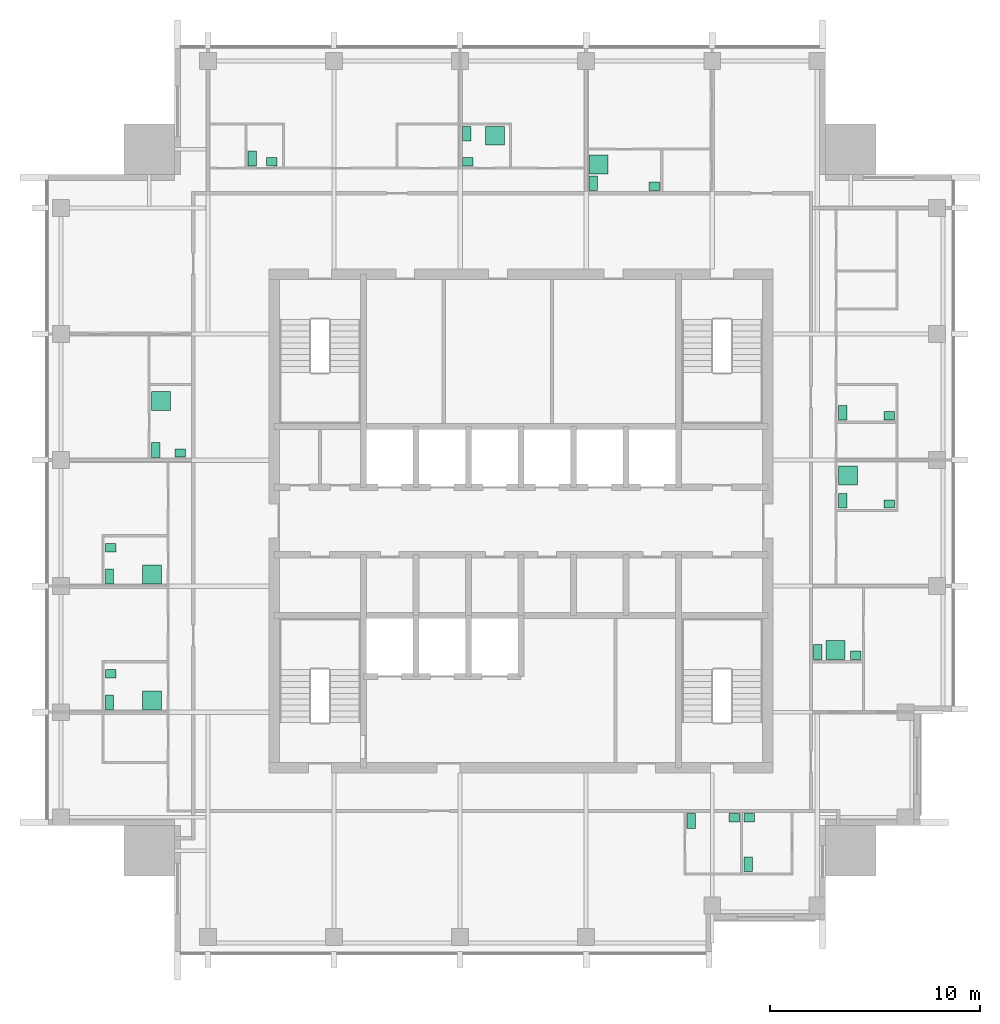
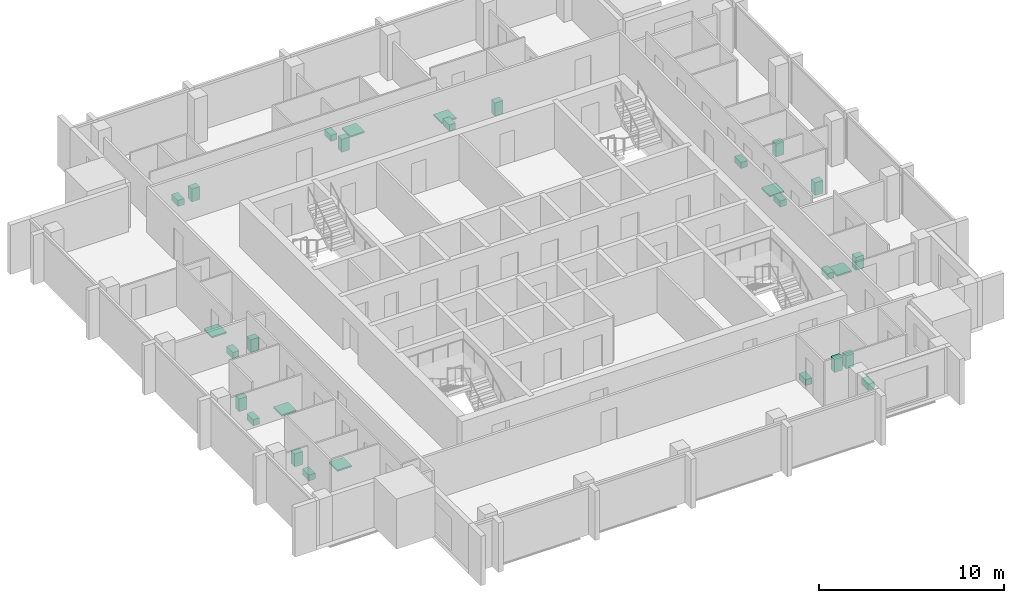
# One storey, part 9 of 9: 29 sanitary terminals.
"""IFC4 building model written with IfcOpenShell, lengths in metres."""

from ifc_helpers import new_model, si_unit, direction, frame, origin, origin_2d, place, context, subcontext, project, spatial, rectangle, extrude, element, save


model = new_model("IFC4")

# Units and contexts
model_context = context("Model", 3, precision=1e-05, world=origin(), true_north=direction((0.0, 1.0)))
body_context = subcontext(model_context, "Body", "Model", "MODEL_VIEW")
ifc_project = project(units=[si_unit("LENGTHUNIT", "METRE"), si_unit("AREAUNIT", "SQUARE_METRE"), si_unit("VOLUMEUNIT", "CUBIC_METRE"), si_unit("PLANEANGLEUNIT", "RADIAN"), si_unit("MASSUNIT", "GRAM", prefix="KILO")], contexts=[model_context])

# Site, building, storey
site_placement = place(None, origin())
site = spatial("IfcSite", under=ifc_project, at=site_placement, CompositionType="ELEMENT")
building_placement = place(site_placement, origin())
building = spatial("IfcBuilding", under=site, at=building_placement, Name="Amberfall Residences", CompositionType="ELEMENT")
storey_placement = place(building_placement, frame((0.0, 0.0, 278.5)))
storey = spatial("IfcBuildingStorey", under=building, at=storey_placement, Name="L75", CompositionType="ELEMENT", Elevation=278.5)

# Sanitary terminals
sanitary_terminal_1_placement = place(storey_placement, frame((82.610107421875, 31.215087890625, 0.0), z_axis=(0.0, 0.0, 1.0), x_axis=(1.0, 0.0, 0.0)))
element("IfcSanitaryTerminal", 1, at=sanitary_terminal_1_placement, inside=storey, Name="Water closet L75 1", PredefinedType="TOILETPAN", context=body_context, shape_type="SweptSolid", body=[
    extrude(rectangle(XDim=0.39990234375, YDim=0.699951171875, at=origin_2d()), origin(), (0.0, 0.0, 1.0), 0.39990234375),
])
sanitary_terminal_2_placement = place(storey_placement, frame((84.639892578125, 31.364990234375, 0.0), z_axis=(0.0, 0.0, 1.0), x_axis=(1.0, 0.0, 0.0)))
element("IfcSanitaryTerminal", 2, at=sanitary_terminal_2_placement, inside=storey, Name="Basin L75 1", PredefinedType="WASHHANDBASIN", context=body_context, shape_type="SweptSolid", body=[
    extrude(rectangle(XDim=0.5, YDim=0.39990234375, at=origin_2d()), origin(), (0.0, 0.0, 1.0), 0.85009765625),
])
sanitary_terminal_3_placement = place(storey_placement, frame((85.31005859375, 29.159912109375, 0.0), z_axis=(0.0, 0.0, 1.0), x_axis=(1.0, 0.0, 0.0)))
element("IfcSanitaryTerminal", 3, at=sanitary_terminal_3_placement, inside=storey, Name="Water closet L75 2", PredefinedType="TOILETPAN", context=body_context, shape_type="SweptSolid", body=[
    extrude(rectangle(XDim=0.39990234375, YDim=0.699951171875, at=origin_2d()), origin(), (0.0, 0.0, 1.0), 0.39990234375),
])
sanitary_terminal_4_placement = place(storey_placement, frame((85.360107421875, 31.364990234375, 0.0), z_axis=(0.0, 0.0, 1.0), x_axis=(1.0, 0.0, 0.0)))
element("IfcSanitaryTerminal", 4, at=sanitary_terminal_4_placement, inside=storey, Name="Basin L75 2", PredefinedType="WASHHANDBASIN", context=body_context, shape_type="SweptSolid", body=[
    extrude(rectangle(XDim=0.5, YDim=0.39990234375, at=origin_2d()), origin(), (0.0, 0.0, 1.0), 0.85009765625),
])
sanitary_terminal_5_placement = place(storey_placement, frame((88.635009765625, 39.260009765625, 0.0), z_axis=(0.0, 0.0, 1.0), x_axis=(1.0, 0.0, 0.0)))
element("IfcSanitaryTerminal", 5, at=sanitary_terminal_5_placement, inside=storey, Name="Water closet 7501", PredefinedType="TOILETPAN", context=body_context, shape_type="SweptSolid", body=[
    extrude(rectangle(XDim=0.39990234375, YDim=0.699951171875, at=origin_2d()), origin(), (0.0, 0.0, 1.0), 0.39990234375),
])
sanitary_terminal_6_placement = place(storey_placement, frame((90.43994140625, 39.110107421875, 0.0), z_axis=(0.0, 0.0, 1.0), x_axis=(1.0, 0.0, 0.0)))
element("IfcSanitaryTerminal", 6, at=sanitary_terminal_6_placement, inside=storey, Name="Basin 7501", PredefinedType="WASHHANDBASIN", context=body_context, shape_type="SweptSolid", body=[
    extrude(rectangle(XDim=0.5, YDim=0.39990234375, at=origin_2d()), origin(), (0.0, 0.0, 1.0), 0.85009765625),
])
sanitary_terminal_7_placement = place(storey_placement, frame((89.4658203125, 39.360107421875, 0.0), z_axis=(0.0, 0.0, 1.0), x_axis=(1.0, 0.0, 0.0)))
element("IfcSanitaryTerminal", 7, at=sanitary_terminal_7_placement, inside=storey, Name="Shower tray 7501", PredefinedType="SHOWER", context=body_context, shape_type="SweptSolid", body=[
    extrude(rectangle(XDim=0.89990234375, YDim=0.89990234375, at=origin_2d()), origin(), (0.0, 0.0, 1.0), 0.10009765625),
])
sanitary_terminal_8_placement = place(storey_placement, frame((89.81005859375, 50.659912109375, 0.0), z_axis=(0.0, 0.0, 1.0), x_axis=(1.0, 0.0, 0.0)))
element("IfcSanitaryTerminal", 8, at=sanitary_terminal_8_placement, inside=storey, Name="Water closet 7502 1", PredefinedType="TOILETPAN", context=body_context, shape_type="SweptSolid", body=[
    extrude(rectangle(XDim=0.39990234375, YDim=0.699951171875, at=origin_2d()), origin(), (0.0, 0.0, 1.0), 0.39990234375),
])
sanitary_terminal_9_placement = place(storey_placement, frame((92.0400390625, 50.510009765625, 0.0), z_axis=(0.0, 0.0, 1.0), x_axis=(1.0, 0.0, 0.0)))
element("IfcSanitaryTerminal", 9, at=sanitary_terminal_9_placement, inside=storey, Name="Basin 7502 1", PredefinedType="WASHHANDBASIN", context=body_context, shape_type="SweptSolid", body=[
    extrude(rectangle(XDim=0.5, YDim=0.39990234375, at=origin_2d()), origin(), (0.0, 0.0, 1.0), 0.85009765625),
])
sanitary_terminal_10_placement = place(storey_placement, frame((89.81005859375, 46.4599609375, 0.0), z_axis=(0.0, 0.0, 1.0), x_axis=(1.0, 0.0, 0.0)))
element("IfcSanitaryTerminal", 10, at=sanitary_terminal_10_placement, inside=storey, Name="Water closet 7502", PredefinedType="TOILETPAN", context=body_context, shape_type="SweptSolid", body=[
    extrude(rectangle(XDim=0.39990234375, YDim=0.699951171875, at=origin_2d()), origin(), (0.0, 0.0, 1.0), 0.39990234375),
])
sanitary_terminal_11_placement = place(storey_placement, frame((92.0400390625, 46.31005859375, 0.0), z_axis=(0.0, 0.0, 1.0), x_axis=(1.0, 0.0, 0.0)))
element("IfcSanitaryTerminal", 11, at=sanitary_terminal_11_placement, inside=storey, Name="Basin 7502", PredefinedType="WASHHANDBASIN", context=body_context, shape_type="SweptSolid", body=[
    extrude(rectangle(XDim=0.5, YDim=0.39990234375, at=origin_2d()), origin(), (0.0, 0.0, 1.0), 0.85009765625),
])
sanitary_terminal_12_placement = place(storey_placement, frame((90.06005859375, 47.6572265625, 0.0), z_axis=(0.0, 0.0, 1.0), x_axis=(1.0, 0.0, 0.0)))
element("IfcSanitaryTerminal", 12, at=sanitary_terminal_12_placement, inside=storey, Name="Shower tray 7502", PredefinedType="SHOWER", context=body_context, shape_type="SweptSolid", body=[
    extrude(rectangle(XDim=0.89990234375, YDim=0.89990234375, at=origin_2d()), origin(), (0.0, 0.0, 1.0), 0.10009765625),
])
sanitary_terminal_13_placement = place(storey_placement, frame((61.7099609375, 62.760009765625, 0.0), z_axis=(0.0, 0.0, 1.0), x_axis=(1.0, 0.0, 0.0)))
element("IfcSanitaryTerminal", 13, at=sanitary_terminal_13_placement, inside=storey, Name="Water closet 7503 1", PredefinedType="TOILETPAN", context=body_context, shape_type="SweptSolid", body=[
    extrude(rectangle(XDim=0.39990234375, YDim=0.699951171875, at=origin_2d()), origin(), (0.0, 0.0, 1.0), 0.39990234375),
])
sanitary_terminal_14_placement = place(storey_placement, frame((62.6240234375, 62.610107421875, 0.0), z_axis=(0.0, 0.0, 1.0), x_axis=(1.0, 0.0, 0.0)))
element("IfcSanitaryTerminal", 14, at=sanitary_terminal_14_placement, inside=storey, Name="Basin 7503 1", PredefinedType="WASHHANDBASIN", context=body_context, shape_type="SweptSolid", body=[
    extrude(rectangle(XDim=0.5, YDim=0.39990234375, at=origin_2d()), origin(), (0.0, 0.0, 1.0), 0.85009765625),
])
sanitary_terminal_15_placement = place(storey_placement, frame((71.909912109375, 63.93994140625, 0.0), z_axis=(0.0, 0.0, 1.0), x_axis=(1.0, 0.0, 0.0)))
element("IfcSanitaryTerminal", 15, at=sanitary_terminal_15_placement, inside=storey, Name="Water closet 7503", PredefinedType="TOILETPAN", context=body_context, shape_type="SweptSolid", body=[
    extrude(rectangle(XDim=0.39990234375, YDim=0.699951171875, at=origin_2d()), origin(), (0.0, 0.0, 1.0), 0.39990234375),
])
sanitary_terminal_16_placement = place(storey_placement, frame((71.9599609375, 62.610107421875, 0.0), z_axis=(0.0, 0.0, 1.0), x_axis=(1.0, 0.0, 0.0)))
element("IfcSanitaryTerminal", 16, at=sanitary_terminal_16_placement, inside=storey, Name="Basin 7503", PredefinedType="WASHHANDBASIN", context=body_context, shape_type="SweptSolid", body=[
    extrude(rectangle(XDim=0.5, YDim=0.39990234375, at=origin_2d()), origin(), (0.0, 0.0, 1.0), 0.85009765625),
])
sanitary_terminal_17_placement = place(storey_placement, frame((73.257080078125, 63.840087890625, 0.0), z_axis=(0.0, 0.0, 1.0), x_axis=(1.0, 0.0, 0.0)))
element("IfcSanitaryTerminal", 17, at=sanitary_terminal_17_placement, inside=storey, Name="Shower tray 7503", PredefinedType="SHOWER", context=body_context, shape_type="SweptSolid", body=[
    extrude(rectangle(XDim=0.89990234375, YDim=0.89990234375, at=origin_2d()), origin(), (0.0, 0.0, 1.0), 0.10009765625),
])
sanitary_terminal_18_placement = place(storey_placement, frame((77.93505859375, 61.5849609375, 0.0), z_axis=(0.0, 0.0, 1.0), x_axis=(1.0, 0.0, 0.0)))
element("IfcSanitaryTerminal", 18, at=sanitary_terminal_18_placement, inside=storey, Name="Water closet 7504", PredefinedType="TOILETPAN", context=body_context, shape_type="SweptSolid", body=[
    extrude(rectangle(XDim=0.39990234375, YDim=0.699951171875, at=origin_2d()), origin(), (0.0, 0.0, 1.0), 0.39990234375),
])
sanitary_terminal_19_placement = place(storey_placement, frame((80.840087890625, 61.43505859375, 0.0), z_axis=(0.0, 0.0, 1.0), x_axis=(1.0, 0.0, 0.0)))
element("IfcSanitaryTerminal", 19, at=sanitary_terminal_19_placement, inside=storey, Name="Basin 7504", PredefinedType="WASHHANDBASIN", context=body_context, shape_type="SweptSolid", body=[
    extrude(rectangle(XDim=0.5, YDim=0.39990234375, at=origin_2d()), origin(), (0.0, 0.0, 1.0), 0.85009765625),
])
sanitary_terminal_20_placement = place(storey_placement, frame((78.18505859375, 62.480712890625, 0.0), z_axis=(0.0, 0.0, 1.0), x_axis=(1.0, 0.0, 0.0)))
element("IfcSanitaryTerminal", 20, at=sanitary_terminal_20_placement, inside=storey, Name="Shower tray 7504", PredefinedType="SHOWER", context=body_context, shape_type="SweptSolid", body=[
    extrude(rectangle(XDim=0.89990234375, YDim=0.89990234375, at=origin_2d()), origin(), (0.0, 0.0, 1.0), 0.10009765625),
])
sanitary_terminal_21_placement = place(storey_placement, frame((54.909912109375, 36.860107421875, 0.0), z_axis=(0.0, 0.0, 1.0), x_axis=(1.0, 0.0, 0.0)))
element("IfcSanitaryTerminal", 21, at=sanitary_terminal_21_placement, inside=storey, Name="Water closet 7505", PredefinedType="TOILETPAN", context=body_context, shape_type="SweptSolid", body=[
    extrude(rectangle(XDim=0.39990234375, YDim=0.699951171875, at=origin_2d()), origin(), (0.0, 0.0, 1.0), 0.39990234375),
])
sanitary_terminal_22_placement = place(storey_placement, frame((54.9599609375, 38.235595703125, 0.0), z_axis=(0.0, 0.0, 1.0), x_axis=(1.0, 0.0, 0.0)))
element("IfcSanitaryTerminal", 22, at=sanitary_terminal_22_placement, inside=storey, Name="Basin 7505", PredefinedType="WASHHANDBASIN", context=body_context, shape_type="SweptSolid", body=[
    extrude(rectangle(XDim=0.5, YDim=0.39990234375, at=origin_2d()), origin(), (0.0, 0.0, 1.0), 0.85009765625),
])
sanitary_terminal_23_placement = place(storey_placement, frame((56.94189453125, 36.9599609375, 0.0), z_axis=(0.0, 0.0, 1.0), x_axis=(1.0, 0.0, 0.0)))
element("IfcSanitaryTerminal", 23, at=sanitary_terminal_23_placement, inside=storey, Name="Shower tray 7505", PredefinedType="SHOWER", context=body_context, shape_type="SweptSolid", body=[
    extrude(rectangle(XDim=0.89990234375, YDim=0.89990234375, at=origin_2d()), origin(), (0.0, 0.0, 1.0), 0.10009765625),
])
sanitary_terminal_24_placement = place(storey_placement, frame((54.909912109375, 42.860107421875, 0.0), z_axis=(0.0, 0.0, 1.0), x_axis=(1.0, 0.0, 0.0)))
element("IfcSanitaryTerminal", 24, at=sanitary_terminal_24_placement, inside=storey, Name="Water closet 7505", PredefinedType="TOILETPAN", context=body_context, shape_type="SweptSolid", body=[
    extrude(rectangle(XDim=0.39990234375, YDim=0.699951171875, at=origin_2d()), origin(), (0.0, 0.0, 1.0), 0.39990234375),
])
sanitary_terminal_25_placement = place(storey_placement, frame((54.9599609375, 44.235595703125, 0.0), z_axis=(0.0, 0.0, 1.0), x_axis=(1.0, 0.0, 0.0)))
element("IfcSanitaryTerminal", 25, at=sanitary_terminal_25_placement, inside=storey, Name="Basin 7505", PredefinedType="WASHHANDBASIN", context=body_context, shape_type="SweptSolid", body=[
    extrude(rectangle(XDim=0.5, YDim=0.39990234375, at=origin_2d()), origin(), (0.0, 0.0, 1.0), 0.85009765625),
])
sanitary_terminal_26_placement = place(storey_placement, frame((56.94189453125, 42.9599609375, 0.0), z_axis=(0.0, 0.0, 1.0), x_axis=(1.0, 0.0, 0.0)))
element("IfcSanitaryTerminal", 26, at=sanitary_terminal_26_placement, inside=storey, Name="Shower tray 7505", PredefinedType="SHOWER", context=body_context, shape_type="SweptSolid", body=[
    extrude(rectangle(XDim=0.89990234375, YDim=0.89990234375, at=origin_2d()), origin(), (0.0, 0.0, 1.0), 0.10009765625),
])
sanitary_terminal_27_placement = place(storey_placement, frame((57.110107421875, 48.885009765625, 0.0), z_axis=(0.0, 0.0, 1.0), x_axis=(1.0, 0.0, 0.0)))
element("IfcSanitaryTerminal", 27, at=sanitary_terminal_27_placement, inside=storey, Name="Water closet 7506", PredefinedType="TOILETPAN", context=body_context, shape_type="SweptSolid", body=[
    extrude(rectangle(XDim=0.39990234375, YDim=0.699951171875, at=origin_2d()), origin(), (0.0, 0.0, 1.0), 0.39990234375),
])
sanitary_terminal_28_placement = place(storey_placement, frame((58.2890625, 48.735107421875, 0.0), z_axis=(0.0, 0.0, 1.0), x_axis=(1.0, 0.0, 0.0)))
element("IfcSanitaryTerminal", 28, at=sanitary_terminal_28_placement, inside=storey, Name="Basin 7506", PredefinedType="WASHHANDBASIN", context=body_context, shape_type="SweptSolid", body=[
    extrude(rectangle(XDim=0.5, YDim=0.39990234375, at=origin_2d()), origin(), (0.0, 0.0, 1.0), 0.85009765625),
])
sanitary_terminal_29_placement = place(storey_placement, frame((57.360107421875, 51.216796875, 0.0), z_axis=(0.0, 0.0, 1.0), x_axis=(1.0, 0.0, 0.0)))
element("IfcSanitaryTerminal", 29, at=sanitary_terminal_29_placement, inside=storey, Name="Shower tray 7506", PredefinedType="SHOWER", context=body_context, shape_type="SweptSolid", body=[
    extrude(rectangle(XDim=0.89990234375, YDim=0.89990234375, at=origin_2d()), origin(), (0.0, 0.0, 1.0), 0.10009765625),
])

save(model, "model.ifc")
